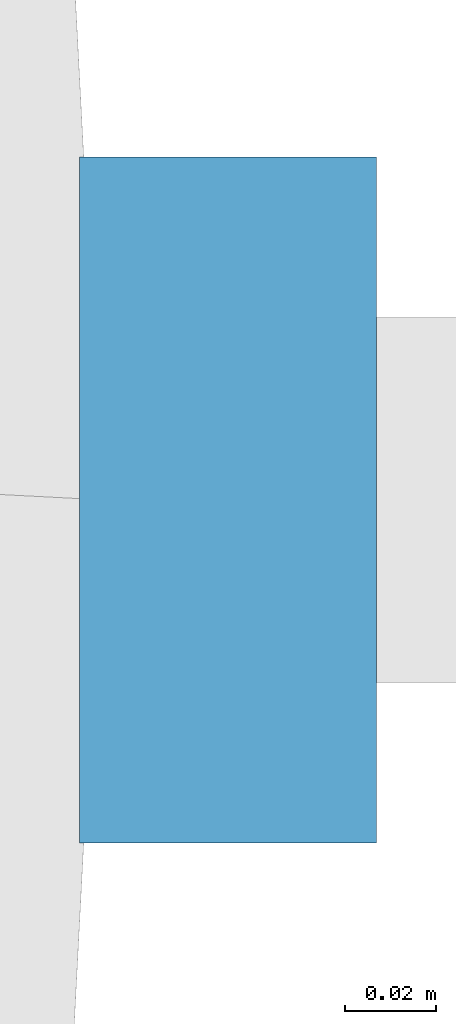
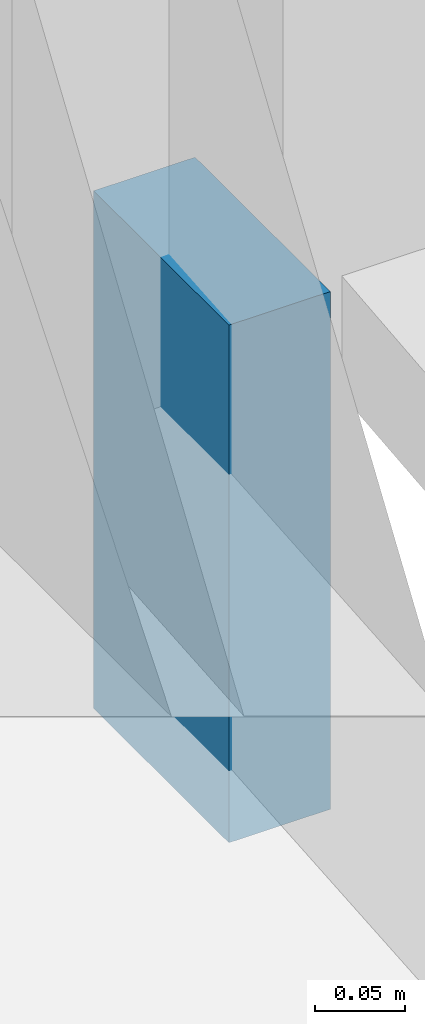
# One storey, part 16 of 20: 1 discrete accessory.
"""IFC4 building model written with IfcOpenShell, lengths in metres."""

from ifc_helpers import new_model, si_unit, direction, frame, origin, origin_2d, place, context, subcontext, project, spatial, rectangle, extrude, material, type_object, element, save


model = new_model("IFC4")

# Units and contexts
model_context = context("Model", 3, precision=1e-05, world=origin(), true_north=direction((0.0, 1.0)))
body_context = subcontext(model_context, "Body", "Model", "MODEL_VIEW")
ifc_project = project(units=[si_unit("LENGTHUNIT", "METRE"), si_unit("AREAUNIT", "SQUARE_METRE"), si_unit("VOLUMEUNIT", "CUBIC_METRE"), si_unit("PLANEANGLEUNIT", "RADIAN"), si_unit("MASSUNIT", "GRAM", prefix="KILO")], contexts=[model_context])

# Site, building, storey
site_placement = place(None, origin())
site = spatial("IfcSite", under=ifc_project, at=site_placement, CompositionType="ELEMENT")
building_placement = place(site_placement, origin())
building = spatial("IfcBuilding", under=site, at=building_placement, Name="Ghaith Harvest Tower", CompositionType="ELEMENT")
storey_placement = place(building_placement, frame((0.0, 0.0, 25.0)))
storey = spatial("IfcBuildingStorey", under=building, at=storey_placement, Name="L05", CompositionType="ELEMENT", Elevation=25.0)

# Discrete accessory
ifc_material = material(Name="Stainless steel grade 1.4401", Category="steel")
discrete_accessory_type = type_object("IfcDiscreteAccessoryType", Name="CURTAIN WALL BRACKET 65", PredefinedType="BRACKET", material=ifc_material)
discrete_accessory_placement = place(storey_placement, frame((34.152587890625, 0.0, -0.25), z_axis=(0.0, 0.0, 1.0), x_axis=(1.0, 0.0, 0.0)))
element("IfcDiscreteAccessory", 1, at=discrete_accessory_placement, inside=storey, type_object=discrete_accessory_type, Name="CW-F bracket 1 bay 01 L05", PredefinedType="BRACKET", context=body_context, shape_type="SweptSolid", body=[
    extrude(rectangle(XDim=0.06494140625, YDim=0.14990234375, at=origin_2d()), origin(), (0.0, 0.0, 1.0), 0.35009765625),
])

save(model, "model.ifc")
